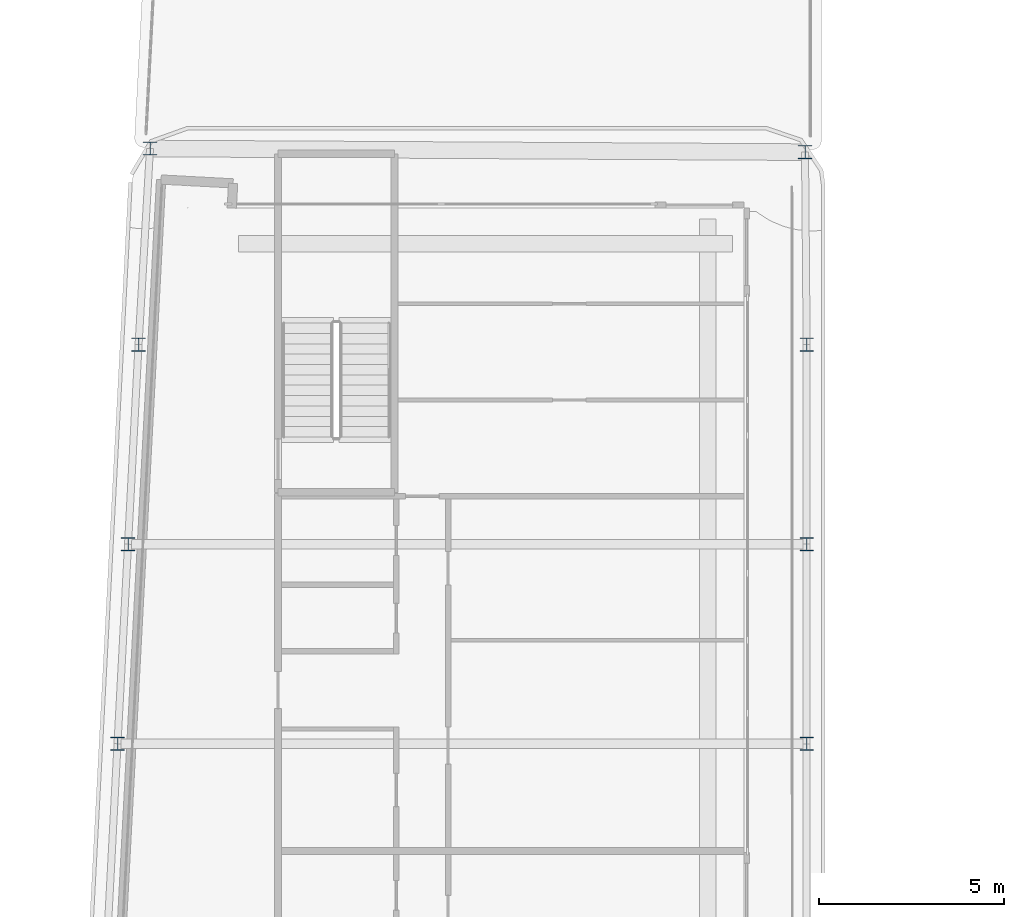
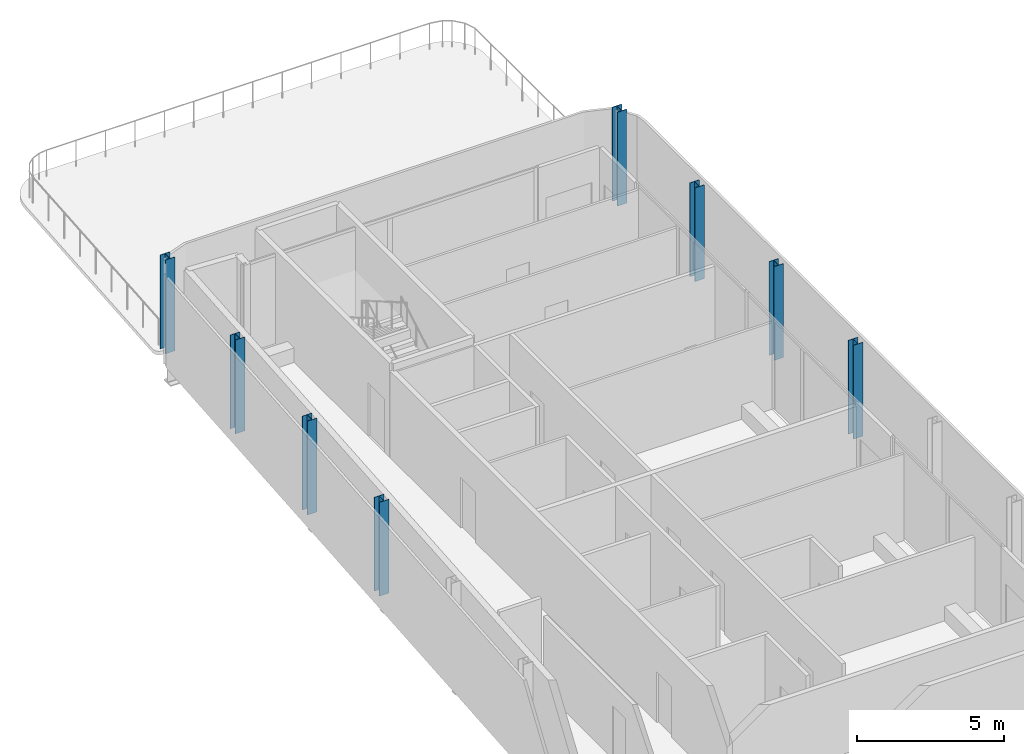
# One storey, part 3 of 15: 8 columns.
"""IFC4 building model written with IfcOpenShell, lengths in metres."""

from ifc_helpers import new_model, si_unit, direction, frame, origin, origin_2d, place, context, subcontext, project, spatial, i_section, extrude, material, material_profile, profile_set, type_object, element, save


model = new_model("IFC4")

# Units and contexts
model_context = context("Model", 3, precision=1e-05, world=origin(), true_north=direction((0.0, 1.0)))
body_context = subcontext(model_context, "Body", "Model", "MODEL_VIEW")
ifc_project = project(units=[si_unit("LENGTHUNIT", "METRE"), si_unit("AREAUNIT", "SQUARE_METRE"), si_unit("VOLUMEUNIT", "CUBIC_METRE"), si_unit("PLANEANGLEUNIT", "RADIAN"), si_unit("MASSUNIT", "GRAM", prefix="KILO")], contexts=[model_context])

# Site, building, storey
site_placement = place(None, origin())
site = spatial("IfcSite", under=ifc_project, at=site_placement, CompositionType="ELEMENT")
building_placement = place(site_placement, origin())
building = spatial("IfcBuilding", under=site, at=building_placement, Name="Kheshtan School and Residences Tower", CompositionType="ELEMENT")
storey_placement = place(building_placement, frame((0.0, 0.0, 338.300048828125)))
storey = spatial("IfcBuildingStorey", under=building, at=storey_placement, Name="L79", CompositionType="ELEMENT", Elevation=338.300048828125)

# Columns
ifc_material = material(Name="Steel ASTM A992 Grade 50", Category="steel")
ifc_material_profile = material_profile(ifc_material, i_section(OverallWidth=0.37109375, OverallDepth=0.364013671875, WebThickness=0.01318359375, FlangeThickness=0.021728515625, FilletRadius=0.010986328125, at=origin_2d()), Name="W360x162")
ifc_profile_set = profile_set([ifc_material_profile], Name="Steel ASTM A992 Grade 50")
column_type = type_object("IfcColumnType", Name="Column C6 W360x162 ASTM A992 Grade 50", PredefinedType="COLUMN", material=ifc_profile_set)
for number, where, z_axis, x_axis, name in (
    (1, (28.9580078125, 72.60009765625, 0.0), (0.0, 0.0, 1.0), (1.0, 0.0, 0.0), "Column C086"),
    (2, (47.60009765625, 72.60009765625, 0.0), (0.0, 0.0, 1.0), (1.0, 0.0, 0.0), "Column C087"),
    (3, (29.242919921875, 78.0, 0.0), (0.0, 0.0, 1.0), (1.0, 0.0, 0.0), "Column C088"),
    (4, (47.60009765625, 78.0, 0.0), (0.0, 0.0, 1.0), (1.0, 0.0, 0.0), "Column C089"),
    (5, (29.527099609375, 83.39990234375, 0.0), (0.0, 0.0, 1.0), (1.0, 0.0, 0.0), "Column C090"),
    (6, (47.60009765625, 83.39990234375, 0.0), (0.0, 0.0, 1.0), (1.0, 0.0, 0.0), "Column C091"),
    (7, (47.555908203125, 88.60498046875, 0.0), (0.0, 0.0, 1.0), (1.0, 0.0, 0.0), "Column C094"),
    (8, (29.8369140625, 88.7041015625, 0.0), (0.0, 0.0, 1.0), (1.0, 0.0, 0.0), "Column C095"),
):
    element("IfcColumn", number, at=place(storey_placement, frame(where, z_axis=z_axis, x_axis=x_axis)), inside=storey, type_object=column_type, Name=name, PredefinedType="COLUMN", context=body_context, shape_type="SweptSolid", body=[
        extrude(i_section(OverallWidth=0.37109375, OverallDepth=0.364013671875, WebThickness=0.01318359375, FlangeThickness=0.021728515625, FilletRadius=0.010986328125, at=origin_2d()), origin(), (0.0, 0.0, 1.0), 3.89990234375),
    ])

save(model, "model.ifc")
